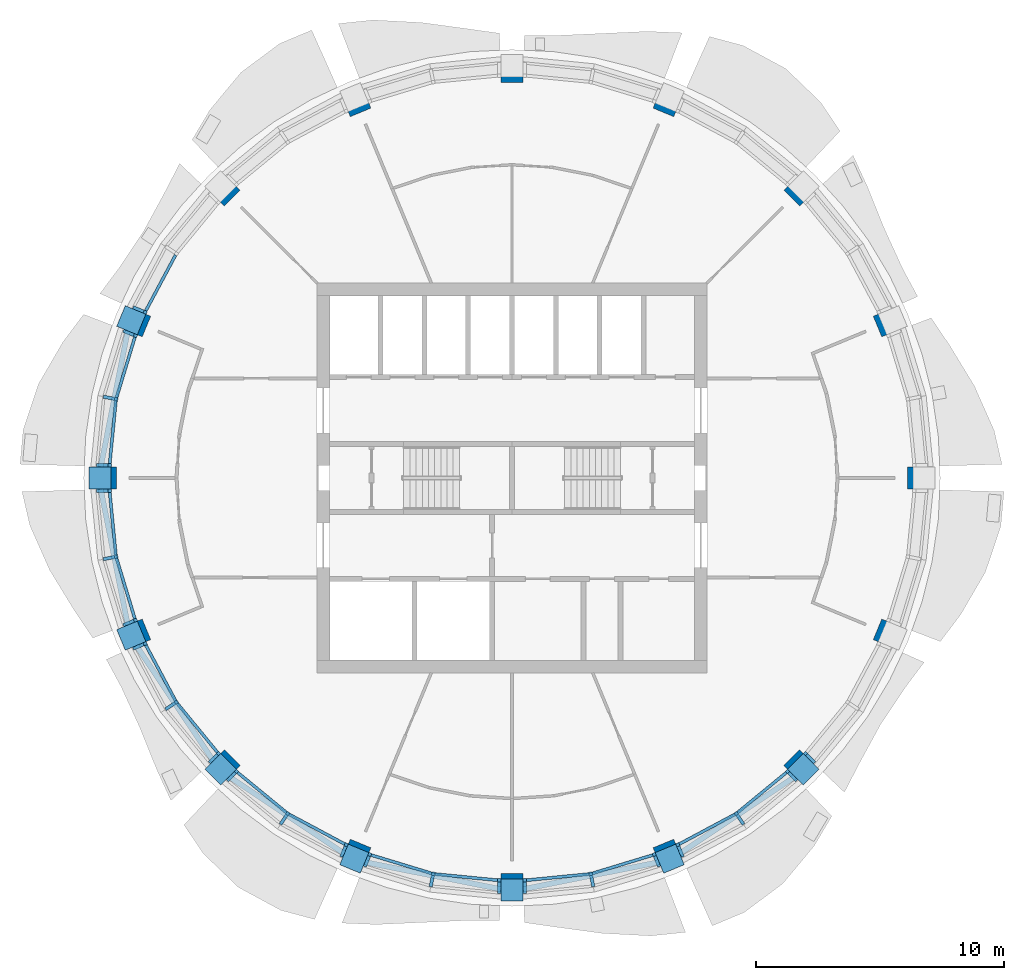
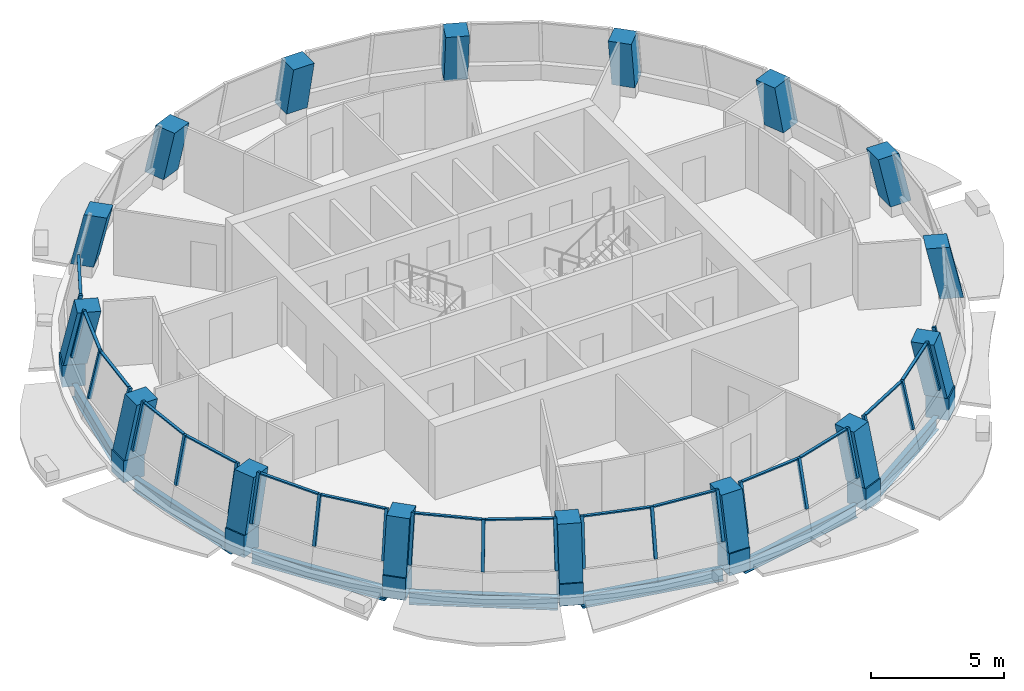
# One storey, part 1 of 11: 46 members, 16 columns, 7 beams, 9 elements without a shape of their own.
"""IFC4 building model written with IfcOpenShell, lengths in metres."""

from ifc_helpers import new_model, si_unit, direction, frame, origin, origin_2d, place, context, subcontext, project, spatial, rectangle, i_section, extrude, material, material_profile, profile_set, type_object, element, aggregate, save


model = new_model("IFC4")

# Units and contexts
model_context = context("Model", 3, precision=1e-05, world=origin(), true_north=direction((0.0, 1.0)))
body_context = subcontext(model_context, "Body", "Model", "MODEL_VIEW")
ifc_project = project(units=[si_unit("LENGTHUNIT", "METRE"), si_unit("AREAUNIT", "SQUARE_METRE"), si_unit("VOLUMEUNIT", "CUBIC_METRE"), si_unit("PLANEANGLEUNIT", "RADIAN"), si_unit("MASSUNIT", "GRAM", prefix="KILO")], contexts=[model_context])

# Site, building, storey
site_placement = place(None, origin())
site = spatial("IfcSite", under=ifc_project, at=site_placement, CompositionType="ELEMENT")
building_placement = place(site_placement, origin())
building = spatial("IfcBuilding", under=site, at=building_placement, Name="Polderwave Tower", CompositionType="ELEMENT")
storey_placement = place(building_placement, frame((0.0, 0.0, 204.39990234375)))
storey = spatial("IfcBuildingStorey", under=building, at=storey_placement, Name="L55", CompositionType="ELEMENT", Elevation=204.39990234375)

# Columns
ifc_material_1 = material(Name="Concrete C60/75", Category="concrete")
ifc_material_profile_1 = material_profile(ifc_material_1, rectangle(XDim=0.89990234375, YDim=0.89990234375, at=origin_2d()), Name="RC 900x900")
ifc_profile_set_1 = profile_set([ifc_material_profile_1], Name="Concrete C60/75")
column_type = type_object("IfcColumnType", Name="RC COLUMN 900x900 C60/75", PredefinedType="COLUMN", material=ifc_profile_set_1)
column_1_placement = place(storey_placement, frame((16.588134765625, 0.0, 0.5), z_axis=(0.0, 0.0, 1.0), x_axis=(0.0, -1.0, 0.0)))
element("IfcColumn", 1, at=column_1_placement, inside=storey, type_object=column_type, Name="Ring column 01", PredefinedType="COLUMN", context=body_context, shape_type="SweptSolid", body=[
    extrude(rectangle(XDim=0.89990234375, YDim=0.89990234375, at=origin_2d()), origin(), (0.0, -0.218465140573, 0.975844753203), 2.408203125),
])
column_2_placement = place(storey_placement, frame((15.325439453125, 6.347900390625, 0.5), z_axis=(0.0, 0.0, 1.0), x_axis=(0.38240644578, -0.923994215472, 0.0)))
element("IfcColumn", 2, at=column_2_placement, inside=storey, type_object=column_type, Name="Ring column 02", PredefinedType="COLUMN", context=body_context, shape_type="SweptSolid", body=[
    extrude(rectangle(XDim=0.89990234375, YDim=0.89990234375, at=origin_2d()), origin(), (0.0, -0.218443457526, 0.975849607196), 2.408203125),
])
column_3_placement = place(storey_placement, frame((11.7294921875, 11.7294921875, 0.5), z_axis=(0.0, 0.0, 1.0), x_axis=(0.707106781187, -0.707106781187, 0.0)))
element("IfcColumn", 3, at=column_3_placement, inside=storey, type_object=column_type, Name="Ring column 03", PredefinedType="COLUMN", context=body_context, shape_type="SweptSolid", body=[
    extrude(rectangle(XDim=0.89990234375, YDim=0.89990234375, at=origin_2d()), origin(), (0.0, -0.218490381939, 0.975839102004), 2.408203125),
])
column_4_placement = place(storey_placement, frame((6.347900390625, 15.325439453125, 0.5), z_axis=(0.0, 0.0, 1.0), x_axis=(0.923994215472, -0.38240644578, 0.0)))
element("IfcColumn", 4, at=column_4_placement, inside=storey, type_object=column_type, Name="Ring column 04", PredefinedType="COLUMN", context=body_context, shape_type="SweptSolid", body=[
    extrude(rectangle(XDim=0.89990234375, YDim=0.89990234375, at=origin_2d()), origin(), (0.0, -0.218443457526, 0.975849607196), 2.408203125),
])
column_5_placement = place(storey_placement, frame((0.0, 16.588134765625, 0.5), z_axis=(0.0, 0.0, 1.0), x_axis=(1.0, 0.0, 0.0)))
element("IfcColumn", 5, at=column_5_placement, inside=storey, type_object=column_type, Name="Ring column 05", PredefinedType="COLUMN", context=body_context, shape_type="SweptSolid", body=[
    extrude(rectangle(XDim=0.89990234375, YDim=0.89990234375, at=origin_2d()), origin(), (0.0, -0.218465140573, 0.975844753203), 2.408203125),
])
column_6_placement = place(storey_placement, frame((-6.347900390625, 15.325439453125, 0.5), z_axis=(0.0, 0.0, 1.0), x_axis=(0.923994215472, 0.38240644578, 0.0)))
element("IfcColumn", 6, at=column_6_placement, inside=storey, type_object=column_type, Name="Ring column 06", PredefinedType="COLUMN", context=body_context, shape_type="SweptSolid", body=[
    extrude(rectangle(XDim=0.89990234375, YDim=0.89990234375, at=origin_2d()), origin(), (0.0, -0.218443457526, 0.975849607196), 2.408203125),
])
column_7_placement = place(storey_placement, frame((-11.7294921875, 11.7294921875, 0.5), z_axis=(0.0, 0.0, 1.0), x_axis=(0.707106781187, 0.707106781187, 0.0)))
element("IfcColumn", 7, at=column_7_placement, inside=storey, type_object=column_type, Name="Ring column 07", PredefinedType="COLUMN", context=body_context, shape_type="SweptSolid", body=[
    extrude(rectangle(XDim=0.89990234375, YDim=0.89990234375, at=origin_2d()), origin(), (0.0, -0.218490381939, 0.975839102004), 2.408203125),
])
column_8_placement = place(storey_placement, frame((-15.325439453125, 6.347900390625, 0.5), z_axis=(0.0, 0.0, 1.0), x_axis=(0.38240644578, 0.923994215472, 0.0)))
element("IfcColumn", 8, at=column_8_placement, inside=storey, type_object=column_type, Name="Ring column 08", PredefinedType="COLUMN", context=body_context, shape_type="SweptSolid", body=[
    extrude(rectangle(XDim=0.89990234375, YDim=0.89990234375, at=origin_2d()), origin(), (0.0, -0.218443457526, 0.975849607196), 2.408203125),
])
column_9_placement = place(storey_placement, frame((-16.588134765625, 0.0, 0.5), z_axis=(0.0, 0.0, 1.0), x_axis=(0.0, 1.0, 0.0)))
element("IfcColumn", 9, at=column_9_placement, inside=storey, type_object=column_type, Name="Ring column 09", PredefinedType="COLUMN", context=body_context, shape_type="SweptSolid", body=[
    extrude(rectangle(XDim=0.89990234375, YDim=0.89990234375, at=origin_2d()), origin(), (0.0, -0.218465140573, 0.975844753203), 2.408203125),
])
column_10_placement = place(storey_placement, frame((-15.325439453125, -6.347900390625, 0.5), z_axis=(0.0, 0.0, 1.0), x_axis=(-0.38240644578, 0.923994215472, 0.0)))
element("IfcColumn", 10, at=column_10_placement, inside=storey, type_object=column_type, Name="Ring column 10", PredefinedType="COLUMN", context=body_context, shape_type="SweptSolid", body=[
    extrude(rectangle(XDim=0.89990234375, YDim=0.89990234375, at=origin_2d()), origin(), (0.0, -0.218443457526, 0.975849607196), 2.408203125),
])
column_11_placement = place(storey_placement, frame((-11.7294921875, -11.7294921875, 0.5), z_axis=(0.0, 0.0, 1.0), x_axis=(-0.707106781187, 0.707106781187, 0.0)))
element("IfcColumn", 11, at=column_11_placement, inside=storey, type_object=column_type, Name="Ring column 11", PredefinedType="COLUMN", context=body_context, shape_type="SweptSolid", body=[
    extrude(rectangle(XDim=0.89990234375, YDim=0.89990234375, at=origin_2d()), origin(), (0.0, -0.218490381939, 0.975839102004), 2.408203125),
])
column_12_placement = place(storey_placement, frame((-6.347900390625, -15.325439453125, 0.5), z_axis=(0.0, 0.0, 1.0), x_axis=(-0.923994215472, 0.38240644578, 0.0)))
element("IfcColumn", 12, at=column_12_placement, inside=storey, type_object=column_type, Name="Ring column 12", PredefinedType="COLUMN", context=body_context, shape_type="SweptSolid", body=[
    extrude(rectangle(XDim=0.89990234375, YDim=0.89990234375, at=origin_2d()), origin(), (0.0, -0.218443457526, 0.975849607196), 2.408203125),
])
column_13_placement = place(storey_placement, frame((0.0, -16.588134765625, 0.5), z_axis=(0.0, 0.0, 1.0), x_axis=(-1.0, 0.0, 0.0)))
element("IfcColumn", 13, at=column_13_placement, inside=storey, type_object=column_type, Name="Ring column 13", PredefinedType="COLUMN", context=body_context, shape_type="SweptSolid", body=[
    extrude(rectangle(XDim=0.89990234375, YDim=0.89990234375, at=origin_2d()), origin(), (0.0, -0.218465140573, 0.975844753203), 2.408203125),
])
column_14_placement = place(storey_placement, frame((6.347900390625, -15.325439453125, 0.5), z_axis=(0.0, 0.0, 1.0), x_axis=(-0.923994215472, -0.38240644578, 0.0)))
element("IfcColumn", 14, at=column_14_placement, inside=storey, type_object=column_type, Name="Ring column 14", PredefinedType="COLUMN", context=body_context, shape_type="SweptSolid", body=[
    extrude(rectangle(XDim=0.89990234375, YDim=0.89990234375, at=origin_2d()), origin(), (0.0, -0.218443457526, 0.975849607196), 2.408203125),
])
column_15_placement = place(storey_placement, frame((11.7294921875, -11.7294921875, 0.5), z_axis=(0.0, 0.0, 1.0), x_axis=(-0.707106781187, -0.707106781187, 0.0)))
element("IfcColumn", 15, at=column_15_placement, inside=storey, type_object=column_type, Name="Ring column 15", PredefinedType="COLUMN", context=body_context, shape_type="SweptSolid", body=[
    extrude(rectangle(XDim=0.89990234375, YDim=0.89990234375, at=origin_2d()), origin(), (0.0, -0.218490381939, 0.975839102004), 2.408203125),
])
column_16_placement = place(storey_placement, frame((15.325439453125, -6.347900390625, 0.5), z_axis=(0.0, 0.0, 1.0), x_axis=(-0.38240644578, -0.923994215472, 0.0)))
element("IfcColumn", 16, at=column_16_placement, inside=storey, type_object=column_type, Name="Ring column 16", PredefinedType="COLUMN", context=body_context, shape_type="SweptSolid", body=[
    extrude(rectangle(XDim=0.89990234375, YDim=0.89990234375, at=origin_2d()), origin(), (0.0, -0.218443457526, 0.975849607196), 2.408203125),
])

# Curtain wall, member
ifc_material_2 = material(Name="Aluminium 6063-T6 and glass", Category="aluminium")
curtain_wall_type = type_object("IfcCurtainWallType", Name="Office ribbon glazing, leaning storey wall", PredefinedType="NOTDEFINED", material=ifc_material_2)
curtain_wall_1_placement = place(storey_placement, origin())
curtain_wall_1 = element("IfcCurtainWall", 17, at=curtain_wall_1_placement, inside=storey, type_object=curtain_wall_type, Name="CW9 L55 06", PredefinedType="NOTDEFINED")
ifc_material_3 = material(Name="Aluminium 6063-T6", Category="aluminium")
ifc_material_profile_2 = material_profile(ifc_material_3, rectangle(XDim=0.1298828125, YDim=0.139892578125, at=origin_2d()), Name="AL 130x140")
ifc_profile_set_2 = profile_set([ifc_material_profile_2], Name="Aluminium 6063-T6")
member_type_1 = type_object("IfcMemberType", Name="Office ribbon glazing, leaning storey mullion 130x140", PredefinedType="MULLION", material=ifc_profile_set_2)
member_1_placement = place(storey_placement, frame((-15.239013671875, 6.869384765625, 0.900146484375), z_axis=(0.197080830187, -0.081444930976, 0.976998397947), x_axis=(0.381928316135, 0.924191950481, 0.0)))
member_1 = element("IfcMember", 18, at=member_1_placement, type_object=member_type_1, Name="CW9 mullion 3", PredefinedType="MULLION", context=body_context, shape_type="SweptSolid", body=[
    extrude(rectangle(XDim=0.1298828125, YDim=0.139892578125, at=origin_2d()), origin(), (0.0, 0.0, 1.0), 2.149169921875),
])

# Curtain wall, members
curtain_wall_2_placement = place(storey_placement, origin())
curtain_wall_2 = element("IfcCurtainWall", 19, at=curtain_wall_2_placement, inside=storey, type_object=curtain_wall_type, Name="CW9 L55 07", PredefinedType="NOTDEFINED")
member_2_placement = place(storey_placement, frame((-15.633056640625, 5.91845703125, 0.900146484375), z_axis=(0.197295518806, -0.081666941866, 0.97693653267), x_axis=(0.382461417292, 0.923971462916, 0.0)))
member_2 = element("IfcMember", 20, at=member_2_placement, type_object=member_type_1, Name="CW9 mullion 1", PredefinedType="MULLION", context=body_context, shape_type="SweptSolid", body=[
    extrude(rectangle(XDim=0.1298828125, YDim=0.139892578125, at=origin_2d()), origin(), (0.0, 0.0, 1.0), 2.1494140625),
])
member_3_placement = place(storey_placement, frame((-16.436279296875, 3.26953125, 0.900146484375), z_axis=(0.209013339698, -0.041689073733, 0.977023768882), x_axis=(0.19560362767, 0.980683037909, 0.0)))
member_3 = element("IfcMember", 21, at=member_3_placement, type_object=member_type_1, Name="CW9 mullion 2", PredefinedType="MULLION", context=body_context, shape_type="SweptSolid", body=[
    extrude(rectangle(XDim=0.1298828125, YDim=0.139892578125, at=origin_2d()), origin(), (0.0, 0.0, 1.0), 2.149169921875),
])
member_4_placement = place(storey_placement, frame((-16.7080078125, 0.5146484375, 0.900146484375), z_axis=(0.213320842981, 0.0, 0.976982199403), x_axis=(0.0, 1.0, 0.0)))
member_4 = element("IfcMember", 22, at=member_4_placement, type_object=member_type_1, Name="CW9 mullion 3", PredefinedType="MULLION", context=body_context, shape_type="SweptSolid", body=[
    extrude(rectangle(XDim=0.1298828125, YDim=0.139892578125, at=origin_2d()), origin(), (0.0, 0.0, 1.0), 2.1494140625),
])

curtain_wall_3_placement = place(storey_placement, origin())
curtain_wall_3 = element("IfcCurtainWall", 23, at=curtain_wall_3_placement, inside=storey, type_object=curtain_wall_type, Name="CW9 L55 08", PredefinedType="NOTDEFINED")
member_5_placement = place(storey_placement, frame((-16.7080078125, -0.5146484375, 0.900146484375), z_axis=(0.213320842981, 0.0, 0.976982199403), x_axis=(0.0, 1.0, 0.0)))
member_5 = element("IfcMember", 24, at=member_5_placement, type_object=member_type_1, Name="CW9 mullion 1", PredefinedType="MULLION", context=body_context, shape_type="SweptSolid", body=[
    extrude(rectangle(XDim=0.1298828125, YDim=0.139892578125, at=origin_2d()), origin(), (0.0, 0.0, 1.0), 2.1494140625),
])
member_6_placement = place(storey_placement, frame((-16.436279296875, -3.26953125, 0.900146484375), z_axis=(0.209013339698, 0.041689073733, 0.977023768882), x_axis=(-0.19560362767, 0.980683037909, 0.0)))
member_6 = element("IfcMember", 25, at=member_6_placement, type_object=member_type_1, Name="CW9 mullion 2", PredefinedType="MULLION", context=body_context, shape_type="SweptSolid", body=[
    extrude(rectangle(XDim=0.1298828125, YDim=0.139892578125, at=origin_2d()), origin(), (0.0, 0.0, 1.0), 2.149169921875),
])
member_7_placement = place(storey_placement, frame((-15.633056640625, -5.91845703125, 0.900146484375), z_axis=(0.197295518806, 0.081666941866, 0.97693653267), x_axis=(-0.382461417292, 0.923971462916, 0.0)))
member_7 = element("IfcMember", 26, at=member_7_placement, type_object=member_type_1, Name="CW9 mullion 3", PredefinedType="MULLION", context=body_context, shape_type="SweptSolid", body=[
    extrude(rectangle(XDim=0.1298828125, YDim=0.139892578125, at=origin_2d()), origin(), (0.0, 0.0, 1.0), 2.1494140625),
])

curtain_wall_4_placement = place(storey_placement, origin())
curtain_wall_4 = element("IfcCurtainWall", 27, at=curtain_wall_4_placement, inside=storey, type_object=curtain_wall_type, Name="CW9 L55 09", PredefinedType="NOTDEFINED")
member_8_placement = place(storey_placement, frame((-15.239013671875, -6.869384765625, 0.900146484375), z_axis=(0.197080830187, 0.081444930976, 0.976998397947), x_axis=(-0.381928316135, 0.924191950481, 0.0)))
member_8 = element("IfcMember", 28, at=member_8_placement, type_object=member_type_1, Name="CW9 mullion 1", PredefinedType="MULLION", context=body_context, shape_type="SweptSolid", body=[
    extrude(rectangle(XDim=0.1298828125, YDim=0.139892578125, at=origin_2d()), origin(), (0.0, 0.0, 1.0), 2.149169921875),
])
member_9_placement = place(storey_placement, frame((-13.9345703125, -9.310791015625, 0.900146484375), z_axis=(0.177533294592, 0.118582699651, 0.976944252583), x_axis=(-0.555436632186, 0.831558866002, 0.0)))
member_9 = element("IfcMember", 29, at=member_9_placement, type_object=member_type_1, Name="CW9 mullion 2", PredefinedType="MULLION", context=body_context, shape_type="SweptSolid", body=[
    extrude(rectangle(XDim=0.1298828125, YDim=0.139892578125, at=origin_2d()), origin(), (0.0, 0.0, 1.0), 2.1494140625),
])
member_10_placement = place(storey_placement, frame((-12.17822265625, -11.45068359375, 0.900146484375), z_axis=(0.150727647222, 0.151181988284, 0.976946867942), x_axis=(-0.708170097849, 0.706041863145, 0.0)))
member_10 = element("IfcMember", 30, at=member_10_placement, type_object=member_type_1, Name="CW9 mullion 3", PredefinedType="MULLION", context=body_context, shape_type="SweptSolid", body=[
    extrude(rectangle(XDim=0.1298828125, YDim=0.139892578125, at=origin_2d()), origin(), (0.0, 0.0, 1.0), 2.1494140625),
])

curtain_wall_5_placement = place(storey_placement, origin())
curtain_wall_5 = element("IfcCurtainWall", 31, at=curtain_wall_5_placement, inside=storey, type_object=curtain_wall_type, Name="CW9 L55 10", PredefinedType="NOTDEFINED")
member_11_placement = place(storey_placement, frame((-11.45068359375, -12.17822265625, 0.900146484375), z_axis=(0.151181988284, 0.150727647222, 0.976946867942), x_axis=(-0.706041863145, 0.708170097849, 0.0)))
member_11 = element("IfcMember", 32, at=member_11_placement, type_object=member_type_1, Name="CW9 mullion 1", PredefinedType="MULLION", context=body_context, shape_type="SweptSolid", body=[
    extrude(rectangle(XDim=0.1298828125, YDim=0.139892578125, at=origin_2d()), origin(), (0.0, 0.0, 1.0), 2.1494140625),
])
member_12_placement = place(storey_placement, frame((-9.310791015625, -13.9345703125, 0.900146484375), z_axis=(0.118582699651, 0.177533294592, 0.976944252583), x_axis=(-0.831558866002, 0.555436632186, 0.0)))
member_12 = element("IfcMember", 33, at=member_12_placement, type_object=member_type_1, Name="CW9 mullion 2", PredefinedType="MULLION", context=body_context, shape_type="SweptSolid", body=[
    extrude(rectangle(XDim=0.1298828125, YDim=0.139892578125, at=origin_2d()), origin(), (0.0, 0.0, 1.0), 2.1494140625),
])
member_13_placement = place(storey_placement, frame((-6.869384765625, -15.239013671875, 0.900146484375), z_axis=(0.081444930976, 0.197080830187, 0.976998397947), x_axis=(-0.924191950481, 0.381928316135, 0.0)))
member_13 = element("IfcMember", 34, at=member_13_placement, type_object=member_type_1, Name="CW9 mullion 3", PredefinedType="MULLION", context=body_context, shape_type="SweptSolid", body=[
    extrude(rectangle(XDim=0.1298828125, YDim=0.139892578125, at=origin_2d()), origin(), (0.0, 0.0, 1.0), 2.149169921875),
])

curtain_wall_6_placement = place(storey_placement, origin())
curtain_wall_6 = element("IfcCurtainWall", 35, at=curtain_wall_6_placement, inside=storey, type_object=curtain_wall_type, Name="CW9 L55 11", PredefinedType="NOTDEFINED")
member_14_placement = place(storey_placement, frame((-5.91845703125, -15.633056640625, 0.900146484375), z_axis=(0.081666941866, 0.197295518806, 0.97693653267), x_axis=(-0.923971462916, 0.382461417292, 0.0)))
member_14 = element("IfcMember", 36, at=member_14_placement, type_object=member_type_1, Name="CW9 mullion 1", PredefinedType="MULLION", context=body_context, shape_type="SweptSolid", body=[
    extrude(rectangle(XDim=0.1298828125, YDim=0.139892578125, at=origin_2d()), origin(), (0.0, 0.0, 1.0), 2.1494140625),
])
member_15_placement = place(storey_placement, frame((-3.26953125, -16.436279296875, 0.900146484375), z_axis=(0.041689073733, 0.209013339698, 0.977023768882), x_axis=(-0.980683037909, 0.19560362767, 0.0)))
member_15 = element("IfcMember", 37, at=member_15_placement, type_object=member_type_1, Name="CW9 mullion 2", PredefinedType="MULLION", context=body_context, shape_type="SweptSolid", body=[
    extrude(rectangle(XDim=0.1298828125, YDim=0.139892578125, at=origin_2d()), origin(), (0.0, 0.0, 1.0), 2.149169921875),
])
member_16_placement = place(storey_placement, frame((-0.5146484375, -16.7080078125, 0.900146484375), z_axis=(0.0, 0.213320842981, 0.976982199403), x_axis=(-1.0, 0.0, 0.0)))
member_16 = element("IfcMember", 38, at=member_16_placement, type_object=member_type_1, Name="CW9 mullion 3", PredefinedType="MULLION", context=body_context, shape_type="SweptSolid", body=[
    extrude(rectangle(XDim=0.1298828125, YDim=0.139892578125, at=origin_2d()), origin(), (0.0, 0.0, 1.0), 2.1494140625),
])

curtain_wall_7_placement = place(storey_placement, origin())
curtain_wall_7 = element("IfcCurtainWall", 39, at=curtain_wall_7_placement, inside=storey, type_object=curtain_wall_type, Name="CW9 L55 12", PredefinedType="NOTDEFINED")
member_17_placement = place(storey_placement, frame((0.5146484375, -16.7080078125, 0.900146484375), z_axis=(0.0, 0.213320842981, 0.976982199403), x_axis=(-1.0, 0.0, 0.0)))
member_17 = element("IfcMember", 40, at=member_17_placement, type_object=member_type_1, Name="CW9 mullion 1", PredefinedType="MULLION", context=body_context, shape_type="SweptSolid", body=[
    extrude(rectangle(XDim=0.1298828125, YDim=0.139892578125, at=origin_2d()), origin(), (0.0, 0.0, 1.0), 2.1494140625),
])
member_18_placement = place(storey_placement, frame((3.26953125, -16.436279296875, 0.900146484375), z_axis=(-0.041689073733, 0.209013339698, 0.977023768882), x_axis=(-0.980683037909, -0.19560362767, 0.0)))
member_18 = element("IfcMember", 41, at=member_18_placement, type_object=member_type_1, Name="CW9 mullion 2", PredefinedType="MULLION", context=body_context, shape_type="SweptSolid", body=[
    extrude(rectangle(XDim=0.1298828125, YDim=0.139892578125, at=origin_2d()), origin(), (0.0, 0.0, 1.0), 2.149169921875),
])
member_19_placement = place(storey_placement, frame((5.91845703125, -15.633056640625, 0.900146484375), z_axis=(-0.081666941866, 0.197295518806, 0.97693653267), x_axis=(-0.923971462916, -0.382461417292, 0.0)))
member_19 = element("IfcMember", 42, at=member_19_placement, type_object=member_type_1, Name="CW9 mullion 3", PredefinedType="MULLION", context=body_context, shape_type="SweptSolid", body=[
    extrude(rectangle(XDim=0.1298828125, YDim=0.139892578125, at=origin_2d()), origin(), (0.0, 0.0, 1.0), 2.1494140625),
])

curtain_wall_8_placement = place(storey_placement, origin())
curtain_wall_8 = element("IfcCurtainWall", 43, at=curtain_wall_8_placement, inside=storey, type_object=curtain_wall_type, Name="CW9 L55 13", PredefinedType="NOTDEFINED")
member_20_placement = place(storey_placement, frame((6.869384765625, -15.239013671875, 0.900146484375), z_axis=(-0.081444930976, 0.197080830187, 0.976998397947), x_axis=(-0.924191950481, -0.381928316135, 0.0)))
member_20 = element("IfcMember", 44, at=member_20_placement, type_object=member_type_1, Name="CW9 mullion 1", PredefinedType="MULLION", context=body_context, shape_type="SweptSolid", body=[
    extrude(rectangle(XDim=0.1298828125, YDim=0.139892578125, at=origin_2d()), origin(), (0.0, 0.0, 1.0), 2.149169921875),
])
member_21_placement = place(storey_placement, frame((9.310791015625, -13.9345703125, 0.900146484375), z_axis=(-0.118582699651, 0.177533294592, 0.976944252583), x_axis=(-0.831558866002, -0.555436632186, 0.0)))
member_21 = element("IfcMember", 45, at=member_21_placement, type_object=member_type_1, Name="CW9 mullion 2", PredefinedType="MULLION", context=body_context, shape_type="SweptSolid", body=[
    extrude(rectangle(XDim=0.1298828125, YDim=0.139892578125, at=origin_2d()), origin(), (0.0, 0.0, 1.0), 2.1494140625),
])
member_22_placement = place(storey_placement, frame((11.45068359375, -12.17822265625, 0.900146484375), z_axis=(-0.151181988284, 0.150727647222, 0.976946867942), x_axis=(-0.706041863145, -0.708170097849, 0.0)))
member_22 = element("IfcMember", 46, at=member_22_placement, type_object=member_type_1, Name="CW9 mullion 3", PredefinedType="MULLION", context=body_context, shape_type="SweptSolid", body=[
    extrude(rectangle(XDim=0.1298828125, YDim=0.139892578125, at=origin_2d()), origin(), (0.0, 0.0, 1.0), 2.1494140625),
])

# Curtain wall, member
curtain_wall_9_placement = place(storey_placement, origin())
curtain_wall_9 = element("IfcCurtainWall", 47, at=curtain_wall_9_placement, inside=storey, type_object=curtain_wall_type, Name="CW9 L55 14", PredefinedType="NOTDEFINED")
member_23_placement = place(storey_placement, frame((12.17822265625, -11.45068359375, 0.900146484375), z_axis=(-0.150727647222, 0.151181988284, 0.976946867942), x_axis=(-0.708170097849, -0.706041863145, 0.0)))
member_23 = element("IfcMember", 48, at=member_23_placement, type_object=member_type_1, Name="CW9 mullion 1", PredefinedType="MULLION", context=body_context, shape_type="SweptSolid", body=[
    extrude(rectangle(XDim=0.1298828125, YDim=0.139892578125, at=origin_2d()), origin(), (0.0, 0.0, 1.0), 2.1494140625),
])
aggregate(curtain_wall_9, [member_23])

# Member
ifc_material_profile_3 = material_profile(ifc_material_3, rectangle(XDim=0.1201171875, YDim=0.06005859375, at=origin_2d()), Name="AL 60x120")
ifc_profile_set_3 = profile_set([ifc_material_profile_3], Name="Aluminium 6063-T6")
member_type_2 = type_object("IfcMemberType", Name="Office ribbon glazing, leaning storey transom 60x120", PredefinedType="USERDEFINED", material=ifc_profile_set_3)
member_24_placement = place(storey_placement, frame((-13.589111328125, 9.002197265625, 2.97021484375), z_axis=(-0.47141323414, -0.881912446152, 0.0), x_axis=(0.881912446152, -0.47141323414, 0.0)))
member_24 = element("IfcMember", 49, at=member_24_placement, type_object=member_type_2, Name="CW9 transom 2", ObjectType="TRANSOM", PredefinedType="USERDEFINED", context=body_context, shape_type="SweptSolid", body=[
    extrude(rectangle(XDim=0.1201171875, YDim=0.06005859375, at=origin_2d()), origin(), (0.0, 0.0, 1.0), 2.549072265625),
])

aggregate(curtain_wall_1, [member_1, member_24])

member_25_placement = place(storey_placement, frame((-15.23388671875, 5.68310546875, 2.97021484375), z_axis=(-0.290517612511, -0.956869644634, 0.0), x_axis=(0.956869644634, -0.290517612511, 0.0)))
member_25 = element("IfcMember", 50, at=member_25_placement, type_object=member_type_2, Name="CW9 transom 1", ObjectType="TRANSOM", PredefinedType="USERDEFINED", context=body_context, shape_type="SweptSolid", body=[
    extrude(rectangle(XDim=0.1201171875, YDim=0.06005859375, at=origin_2d()), origin(), (0.0, 0.0, 1.0), 2.549560546875),
])

member_26_placement = place(storey_placement, frame((-15.999755859375, 3.11669921875, 2.97021484375), z_axis=(-0.098053068021, -0.995181187449, 0.0), x_axis=(0.995181187449, -0.098053068021, 0.0)))
member_26 = element("IfcMember", 51, at=member_26_placement, type_object=member_type_2, Name="CW9 transom 2", ObjectType="TRANSOM", PredefinedType="USERDEFINED", context=body_context, shape_type="SweptSolid", body=[
    extrude(rectangle(XDim=0.1201171875, YDim=0.06005859375, at=origin_2d()), origin(), (0.0, 0.0, 1.0), 2.549560546875),
])

aggregate(curtain_wall_2, [member_2, member_3, member_4, member_25, member_26])

member_27_placement = place(storey_placement, frame((-16.249755859375, -0.579345703125, 2.97021484375), z_axis=(0.098053068021, -0.995181187449, 0.0), x_axis=(0.995181187449, 0.098053068021, 0.0)))
member_27 = element("IfcMember", 52, at=member_27_placement, type_object=member_type_2, Name="CW9 transom 1", ObjectType="TRANSOM", PredefinedType="USERDEFINED", context=body_context, shape_type="SweptSolid", body=[
    extrude(rectangle(XDim=0.1201171875, YDim=0.06005859375, at=origin_2d()), origin(), (0.0, 0.0, 1.0), 2.549560546875),
])

member_28_placement = place(storey_placement, frame((-15.974609375, -3.243408203125, 2.97021484375), z_axis=(0.290517612511, -0.956869644634, 0.0), x_axis=(0.956869644634, 0.290517612511, 0.0)))
member_28 = element("IfcMember", 53, at=member_28_placement, type_object=member_type_2, Name="CW9 transom 2", ObjectType="TRANSOM", PredefinedType="USERDEFINED", context=body_context, shape_type="SweptSolid", body=[
    extrude(rectangle(XDim=0.1201171875, YDim=0.06005859375, at=origin_2d()), origin(), (0.0, 0.0, 1.0), 2.549560546875),
])

aggregate(curtain_wall_3, [member_5, member_6, member_7, member_27, member_28])

member_29_placement = place(storey_placement, frame((-14.790771484375, -6.754150390625, 2.97021484375), z_axis=(0.47141323414, -0.881912446152, 0.0), x_axis=(0.881912446152, 0.47141323414, 0.0)))
member_29 = element("IfcMember", 54, at=member_29_placement, type_object=member_type_2, Name="CW9 transom 1", ObjectType="TRANSOM", PredefinedType="USERDEFINED", context=body_context, shape_type="SweptSolid", body=[
    extrude(rectangle(XDim=0.1201171875, YDim=0.06005859375, at=origin_2d()), origin(), (0.0, 0.0, 1.0), 2.549072265625),
])

member_30_placement = place(storey_placement, frame((-13.51708984375, -9.10986328125, 2.97021484375), z_axis=(0.634400276136, -0.773004715147, 0.0), x_axis=(0.773004715147, 0.634400276136, 0.0)))
member_30 = element("IfcMember", 55, at=member_30_placement, type_object=member_type_2, Name="CW9 transom 2", ObjectType="TRANSOM", PredefinedType="USERDEFINED", context=body_context, shape_type="SweptSolid", body=[
    extrude(rectangle(XDim=0.1201171875, YDim=0.06005859375, at=origin_2d()), origin(), (0.0, 0.0, 1.0), 2.548828125),
])

aggregate(curtain_wall_4, [member_8, member_9, member_10, member_29, member_30])

member_31_placement = place(storey_placement, frame((-11.080078125, -11.900146484375, 2.97021484375), z_axis=(0.773004715147, -0.634400276136, 0.0), x_axis=(0.634400276136, 0.773004715147, 0.0)))
member_31 = element("IfcMember", 56, at=member_31_placement, type_object=member_type_2, Name="CW9 transom 1", ObjectType="TRANSOM", PredefinedType="USERDEFINED", context=body_context, shape_type="SweptSolid", body=[
    extrude(rectangle(XDim=0.1201171875, YDim=0.06005859375, at=origin_2d()), origin(), (0.0, 0.0, 1.0), 2.548828125),
])

member_32_placement = place(storey_placement, frame((-9.002197265625, -13.589111328125, 2.97021484375), z_axis=(0.881912446152, -0.47141323414, 0.0), x_axis=(0.47141323414, 0.881912446152, 0.0)))
member_32 = element("IfcMember", 57, at=member_32_placement, type_object=member_type_2, Name="CW9 transom 2", ObjectType="TRANSOM", PredefinedType="USERDEFINED", context=body_context, shape_type="SweptSolid", body=[
    extrude(rectangle(XDim=0.1201171875, YDim=0.06005859375, at=origin_2d()), origin(), (0.0, 0.0, 1.0), 2.549072265625),
])

aggregate(curtain_wall_5, [member_11, member_12, member_13, member_31, member_32])

member_33_placement = place(storey_placement, frame((-5.68310546875, -15.23388671875, 2.97021484375), z_axis=(0.956869644634, -0.290517612511, 0.0), x_axis=(0.290517612511, 0.956869644634, 0.0)))
member_33 = element("IfcMember", 58, at=member_33_placement, type_object=member_type_2, Name="CW9 transom 1", ObjectType="TRANSOM", PredefinedType="USERDEFINED", context=body_context, shape_type="SweptSolid", body=[
    extrude(rectangle(XDim=0.1201171875, YDim=0.06005859375, at=origin_2d()), origin(), (0.0, 0.0, 1.0), 2.549560546875),
])

member_34_placement = place(storey_placement, frame((-3.11669921875, -15.999755859375, 2.97021484375), z_axis=(0.995181187449, -0.098053068021, 0.0), x_axis=(0.098053068021, 0.995181187449, 0.0)))
member_34 = element("IfcMember", 59, at=member_34_placement, type_object=member_type_2, Name="CW9 transom 2", ObjectType="TRANSOM", PredefinedType="USERDEFINED", context=body_context, shape_type="SweptSolid", body=[
    extrude(rectangle(XDim=0.1201171875, YDim=0.06005859375, at=origin_2d()), origin(), (0.0, 0.0, 1.0), 2.549560546875),
])

aggregate(curtain_wall_6, [member_14, member_15, member_16, member_33, member_34])

member_35_placement = place(storey_placement, frame((0.579345703125, -16.249755859375, 2.97021484375), z_axis=(0.995181187449, 0.098053068021, 0.0), x_axis=(-0.098053068021, 0.995181187449, 0.0)))
member_35 = element("IfcMember", 60, at=member_35_placement, type_object=member_type_2, Name="CW9 transom 1", ObjectType="TRANSOM", PredefinedType="USERDEFINED", context=body_context, shape_type="SweptSolid", body=[
    extrude(rectangle(XDim=0.1201171875, YDim=0.06005859375, at=origin_2d()), origin(), (0.0, 0.0, 1.0), 2.549560546875),
])

member_36_placement = place(storey_placement, frame((3.243408203125, -15.974609375, 2.97021484375), z_axis=(0.956869644634, 0.290517612511, 0.0), x_axis=(-0.290517612511, 0.956869644634, 0.0)))
member_36 = element("IfcMember", 61, at=member_36_placement, type_object=member_type_2, Name="CW9 transom 2", ObjectType="TRANSOM", PredefinedType="USERDEFINED", context=body_context, shape_type="SweptSolid", body=[
    extrude(rectangle(XDim=0.1201171875, YDim=0.06005859375, at=origin_2d()), origin(), (0.0, 0.0, 1.0), 2.549560546875),
])

aggregate(curtain_wall_7, [member_17, member_18, member_19, member_35, member_36])

member_37_placement = place(storey_placement, frame((6.754150390625, -14.790771484375, 2.97021484375), z_axis=(0.881912446152, 0.47141323414, 0.0), x_axis=(-0.47141323414, 0.881912446152, 0.0)))
member_37 = element("IfcMember", 62, at=member_37_placement, type_object=member_type_2, Name="CW9 transom 1", ObjectType="TRANSOM", PredefinedType="USERDEFINED", context=body_context, shape_type="SweptSolid", body=[
    extrude(rectangle(XDim=0.1201171875, YDim=0.06005859375, at=origin_2d()), origin(), (0.0, 0.0, 1.0), 2.549072265625),
])

member_38_placement = place(storey_placement, frame((9.10986328125, -13.51708984375, 2.97021484375), z_axis=(0.773004715147, 0.634400276136, 0.0), x_axis=(-0.634400276136, 0.773004715147, 0.0)))
member_38 = element("IfcMember", 63, at=member_38_placement, type_object=member_type_2, Name="CW9 transom 2", ObjectType="TRANSOM", PredefinedType="USERDEFINED", context=body_context, shape_type="SweptSolid", body=[
    extrude(rectangle(XDim=0.1201171875, YDim=0.06005859375, at=origin_2d()), origin(), (0.0, 0.0, 1.0), 2.548828125),
])

aggregate(curtain_wall_8, [member_20, member_21, member_22, member_37, member_38])

# Members
ifc_material_profile_4 = material_profile(ifc_material_1, rectangle(XDim=0.89990234375, YDim=0.89990234375, at=origin_2d()), Name="RC 900x900")
ifc_profile_set_4 = profile_set([ifc_material_profile_4], Name="Concrete C60/75")
member_type_3 = type_object("IfcMemberType", Name="RC NODE 900x900 C60/75", PredefinedType="POST", material=ifc_profile_set_4)
for number, where, z_axis, x_axis, name in (
    (64, (-15.377197265625, 6.369384765625, -0.5), (0.0, 0.0, 1.0), (-0.923879532511, 0.382683432365, 0.0), "Ring column node 08"),
    (65, (-16.64404296875, 0.0, -0.5), (0.0, 0.0, 1.0), (-1.0, 0.0, 0.0), "Ring column node 09"),
    (66, (-15.377197265625, -6.369384765625, -0.5), (0.0, 0.0, 1.0), (-0.923879532511, -0.382683432365, 0.0), "Ring column node 10"),
    (67, (-11.76904296875, -11.76904296875, -0.5), (0.0, 0.0, 1.0), (-0.707106781187, -0.707106781187, 0.0), "Ring column node 11"),
    (68, (-6.369384765625, -15.377197265625, -0.5), (0.0, 0.0, 1.0), (-0.382683432365, -0.923879532511, 0.0), "Ring column node 12"),
    (69, (0.0, -16.64404296875, -0.5), (0.0, 0.0, 1.0), (0.0, -1.0, 0.0), "Ring column node 13"),
    (70, (6.369384765625, -15.377197265625, -0.5), (0.0, 0.0, 1.0), (0.382683432365, -0.923879532511, 0.0), "Ring column node 14"),
    (71, (11.76904296875, -11.76904296875, -0.5), (0.0, 0.0, 1.0), (0.707106781187, -0.707106781187, 0.0), "Ring column node 15"),
):
    element("IfcMember", number, at=place(storey_placement, frame(where, z_axis=z_axis, x_axis=x_axis)), inside=storey, type_object=member_type_3, Name=name, PredefinedType="POST", context=body_context, shape_type="SweptSolid", body=[
        extrude(rectangle(XDim=0.89990234375, YDim=0.89990234375, at=origin_2d()), origin(), (0.0, 0.0, 1.0), 1.0),
    ])

# Beams
ifc_material_4 = material(Name="Steel S355", Category="steel")
ifc_material_profile_5 = material_profile(ifc_material_4, i_section(OverallWidth=0.219970703125, OverallDepth=0.60009765625, WebThickness=0.011962890625, FlangeThickness=0.01904296875, at=origin_2d()), Name="IPE 600")
ifc_profile_set_5 = profile_set([ifc_material_profile_5], Name="Steel S355")
beam_type = type_object("IfcBeamType", Name="RING BEAM IPE 600", PredefinedType="BEAM", material=ifc_profile_set_5)
for number, where, z_axis, x_axis, name in (
    (72, (-15.518310546875, 5.94091796875, -0.64990234375), (-0.195101310105, -0.980783094673, 0.0), (0.980783094673, -0.195101310105, 0.0), "ST-RB-L55-07"),
    (73, (-16.610595703125, -0.449951171875, -0.64990234375), (0.195101310105, -0.980783094673, 0.0), (0.980783094673, 0.195101310105, 0.0), "ST-RB-L55-08"),
    (74, (-15.173828125, -6.772216796875, -0.64990234375), (0.555565346345, -0.831472877453, 0.0), (0.831472877453, 0.555565346345, 0.0), "ST-RB-L55-09"),
    (75, (-11.42724609375, -12.0634765625, -0.64990234375), (0.831472877453, -0.555565346345, 0.0), (0.555565346345, 0.831472877453, 0.0), "ST-RB-L55-10"),
    (76, (-5.94091796875, -15.518310546875, -0.64990234375), (0.980783094673, -0.195101310105, 0.0), (0.195101310105, 0.980783094673, 0.0), "ST-RB-L55-11"),
    (77, (0.449951171875, -16.610595703125, -0.64990234375), (0.980783094673, 0.195101310105, 0.0), (-0.195101310105, 0.980783094673, 0.0), "ST-RB-L55-12"),
    (78, (6.772216796875, -15.173828125, -0.64990234375), (0.831472877453, 0.555565346345, 0.0), (-0.555565346345, 0.831472877453, 0.0), "ST-RB-L55-13"),
):
    element("IfcBeam", number, at=place(storey_placement, frame(where, z_axis=z_axis, x_axis=x_axis)), inside=storey, type_object=beam_type, Name=name, PredefinedType="BEAM", context=body_context, shape_type="SweptSolid", body=[
        extrude(i_section(OverallWidth=0.219970703125, OverallDepth=0.60009765625, WebThickness=0.011962890625, FlangeThickness=0.01904296875, at=origin_2d()), origin(), (0.0, 0.0, 1.0), 5.5986328125),
    ])

save(model, "model.ifc")
